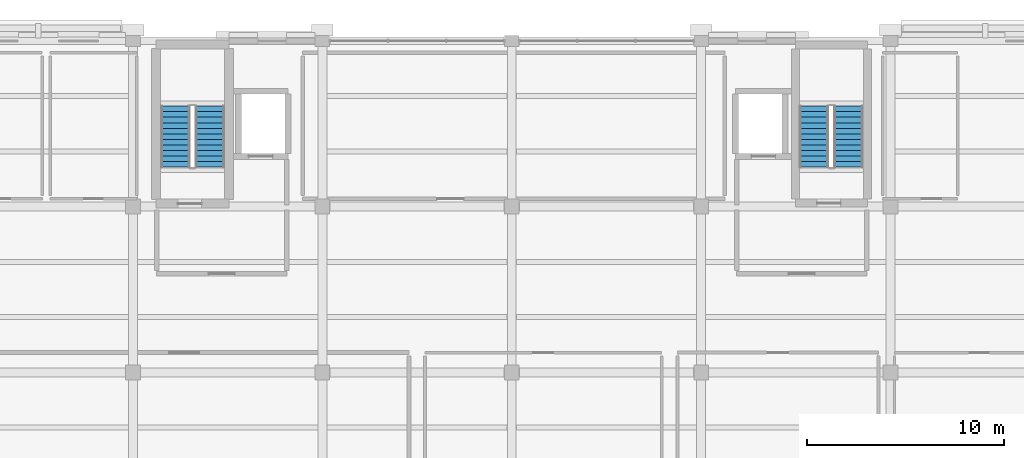
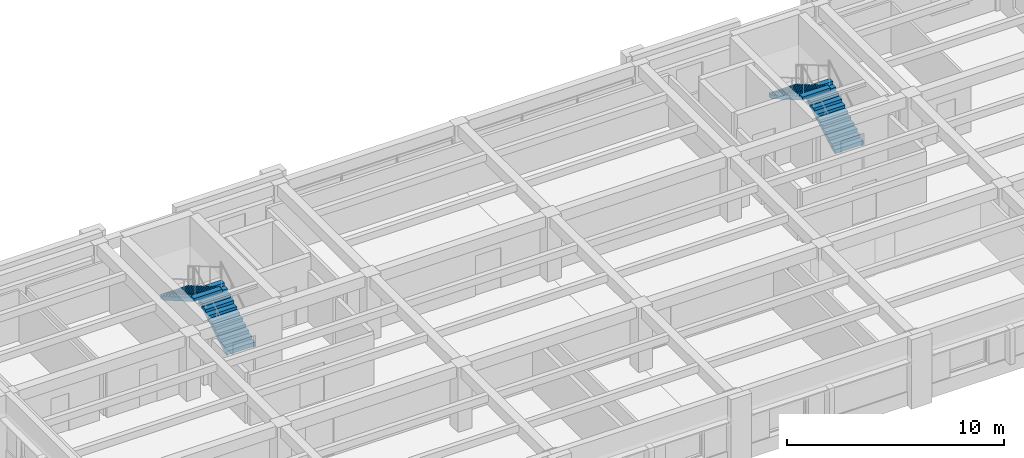
# One storey, part 8 of 11: 4 stair flights, 2 elements without a shape of their own.
"""IFC4 building model written with IfcOpenShell, lengths in metres."""

import ifcopenshell
import ifcopenshell.guid

model = None  # the IFC model being written
_history = None  # IfcOwnerHistory: only IFC2X3 demands one
_inside = {}  # id of a spatial element -> (the spatial element, [elements in it])
_under = {}  # id of a project, library or spatial element -> (it, [spatial elements below it])
_declared = {}  # id of a project -> (the project, [libraries it declares])
_typed = {}  # id of a type object -> (the type object, [elements of that type])
_made_of = {}  # id of a material, layer set ... -> (it, [elements and type objects made of it])


def new_model(schema):
    """Start an empty IFC model of exactly this schema.

    Asked for "IFC4X3", IfcOpenShell would pick the latest addendum, in which some entities
    have other attributes; the version numbers below select the first issue.
    IFC2X3 requires an IfcOwnerHistory on every rooted entity: one is made here for all.
    """
    global model, _history
    if schema == "IFC4X3":
        model = ifcopenshell.file(schema_version=(4, 3, 0, 0))
    else:
        model = ifcopenshell.file(schema=schema)
    _inside.clear()
    _under.clear()
    _declared.clear()
    _typed.clear()
    _made_of.clear()
    _history = None
    if model.schema == "IFC2X3":
        org = make("IfcOrganization", Name="unknown")
        user = make(
            "IfcPersonAndOrganization",
            ThePerson=make("IfcPerson", FamilyName="unknown"),
            TheOrganization=org,
        )
        app = make(
            "IfcApplication",
            ApplicationDeveloper=org,
            Version="unknown",
            ApplicationFullName="unknown",
            ApplicationIdentifier="unknown",
        )
        _history = make(
            "IfcOwnerHistory",
            OwningUser=user,
            OwningApplication=app,
            ChangeAction="ADDED",
            CreationDate=0,
        )
    return model


def make(cls, **values):
    """One entity of the class cls with the attributes given. An attribute that is None is left unset."""
    return model.create_entity(
        cls, **{name: value for name, value in values.items() if value is not None}
    )


def rooted(cls, **values):
    """An entity with a GlobalId (a new one), such as an element, a storey or a relation."""
    return make(cls, GlobalId=ifcopenshell.guid.new(), OwnerHistory=_history, **values)


def si_unit(unit_type, name, prefix=None):
    """IfcSIUnit, for example si_unit("LENGTHUNIT", "METRE", prefix="MILLI")."""
    return make("IfcSIUnit", UnitType=unit_type, Prefix=prefix, Name=name)


def assignment(units):
    """IfcUnitAssignment: the units of a project."""
    return None if units is None else make("IfcUnitAssignment", Units=units)


def point(xyz):
    """IfcCartesianPoint."""
    return None if xyz is None else make("IfcCartesianPoint", Coordinates=xyz)


def direction(xyz):
    """IfcDirection."""
    return None if xyz is None else make("IfcDirection", DirectionRatios=xyz)


def frame(location, z_axis=None, x_axis=None):
    """IfcAxis2Placement3D, a coordinate frame: its origin and axes. An axis left out is left unset."""
    return make(
        "IfcAxis2Placement3D",
        Location=point(location),
        Axis=direction(z_axis),
        RefDirection=direction(x_axis),
    )


def origin():
    """The frame at (0, 0, 0) with its axes left unset."""
    return frame((0.0, 0.0, 0.0))


def place(relative_to, where):
    """IfcLocalPlacement: puts the frame where relative to a parent placement (None: the world)."""
    return make(
        "IfcLocalPlacement", PlacementRelTo=relative_to, RelativePlacement=where
    )


def context(
    kind, dimensions, precision=None, world=None, true_north=None, identifier=None
):
    """IfcGeometricRepresentationContext, for example the 3D "Model" context."""
    return make(
        "IfcGeometricRepresentationContext",
        ContextIdentifier=identifier,
        ContextType=kind,
        CoordinateSpaceDimension=dimensions,
        Precision=precision,
        WorldCoordinateSystem=world,
        TrueNorth=true_north,
    )


def subcontext(parent, identifier, kind, view, scale=None):
    """IfcGeometricRepresentationSubContext, for example "Body" below "Model"."""
    return make(
        "IfcGeometricRepresentationSubContext",
        ContextIdentifier=identifier,
        ContextType=kind,
        ParentContext=parent,
        TargetScale=scale,
        TargetView=view,
    )


def project(units=None, contexts=None):
    """IfcProject with its units and contexts."""
    return rooted(
        "IfcProject",
        Name="project",
        RepresentationContexts=contexts,
        UnitsInContext=assignment(units),
    )


def spatial(cls, under=None, at=None, **own):
    """A site, building, storey or space (cls), placed at a placement, below another one or the project."""
    s = rooted(cls, ObjectPlacement=at, **own)
    if under is not None:
        _under.setdefault(under.id(), (under, []))[1].append(s)
    return s


def polyline(points):
    """IfcPolyline through the points."""
    return make("IfcPolyline", Points=[point(p) for p in points])


def outline(outer, holes=None, kind="AREA"):
    """IfcArbitraryClosedProfileDef: a profile drawn as a closed curve; with holes, ...WithVoids."""
    if holes is None:
        return make("IfcArbitraryClosedProfileDef", ProfileType=kind, OuterCurve=outer)
    return make(
        "IfcArbitraryProfileDefWithVoids",
        ProfileType=kind,
        OuterCurve=outer,
        InnerCurves=holes,
    )


def extrude(swept, where, along, depth):
    """IfcExtrudedAreaSolid: the profile swept, set in the frame where, extruded along a direction by depth."""
    return make(
        "IfcExtrudedAreaSolid",
        SweptArea=swept,
        Position=where,
        ExtrudedDirection=direction(along),
        Depth=depth,
    )


def shape(context_of_items, identifier, shape_type, items):
    """IfcShapeRepresentation: the items that make up one representation, for example the "Body"."""
    return make(
        "IfcShapeRepresentation",
        ContextOfItems=context_of_items,
        RepresentationIdentifier=identifier,
        RepresentationType=shape_type,
        Items=items,
    )


def material(Name=None, Category=None):
    """IfcMaterial."""
    return make("IfcMaterial", Name=Name, Category=Category)


def made_of(thing, what):
    """Note that an element or type object is made of a material, layer set ...; save() writes the relation."""
    if what is not None:
        _made_of.setdefault(what.id(), (what, []))[1].append(thing)
    return thing


def type_object(cls, material=None, **own):
    """A type object (cls), such as IfcWallType, which elements share."""
    return made_of(rooted(cls, **own), material)


def element(
    cls,
    number,
    at=None,
    inside=None,
    cuts=None,
    type_object=None,
    material=None,
    context=None,
    identifier="Body",
    shape_type=None,
    held_by="IfcProductDefinitionShape",
    body=None,
    shapes=None,
    **own,
):
    """One element of the class cls, such as IfcWall. Its Tag is "e" and its number.

    at: its placement. inside: the storey or other place that contains it. cuts: it is an
    opening in that element (IfcRelVoidsElement). A single representation is given by context,
    identifier, shape_type and body (its items); several are given by shapes. held_by: the class
    of the entity that holds the representations. save() writes the other relations.
    """
    e = rooted(cls, Tag="e%d" % number, ObjectPlacement=at, **own)
    if body is not None:
        shapes = [shape(context, identifier, shape_type, body)]
    if shapes is not None:
        e.Representation = make(held_by, Representations=shapes)
    if inside is not None:
        _inside.setdefault(inside.id(), (inside, []))[1].append(e)
    if cuts is not None:
        rooted(
            "IfcRelVoidsElement", RelatingBuildingElement=cuts, RelatedOpeningElement=e
        )
    if type_object is not None:
        _typed.setdefault(type_object.id(), (type_object, []))[1].append(e)
    return made_of(e, material)


def aggregate(whole, parts):
    """IfcRelAggregates: a whole, such as a stair, and the parts it consists of."""
    return rooted("IfcRelAggregates", RelatingObject=whole, RelatedObjects=parts)


def save(model, path):
    """Write the relations noted so far, then the file.

    IfcRelAggregates (storeys below a building ...), IfcRelContainedInSpatialStructure (elements
    in a storey), IfcRelDefinesByType, IfcRelAssociatesMaterial and IfcRelDeclares: one each for
    every whole, place, type object, material and project.
    """
    for whole, parts in _under.values():
        aggregate(whole, parts)
    for where, things in _inside.values():
        rooted(
            "IfcRelContainedInSpatialStructure",
            RelatedElements=things,
            RelatingStructure=where,
        )
    for kind, things in _typed.values():
        rooted("IfcRelDefinesByType", RelatedObjects=things, RelatingType=kind)
    for what, things in _made_of.values():
        rooted("IfcRelAssociatesMaterial", RelatedObjects=things, RelatingMaterial=what)
    for by, libraries in _declared.values():
        rooted("IfcRelDeclares", RelatingContext=by, RelatedDefinitions=libraries)
    model.write(path)


model = new_model("IFC4")

# Units and contexts
model_context = context("Model", 3, precision=1e-05, world=origin(), true_north=direction((0.0, 1.0)))
body_context = subcontext(model_context, "Body", "Model", "MODEL_VIEW")
ifc_project = project(units=[si_unit("LENGTHUNIT", "METRE"), si_unit("AREAUNIT", "SQUARE_METRE"), si_unit("VOLUMEUNIT", "CUBIC_METRE"), si_unit("PLANEANGLEUNIT", "RADIAN"), si_unit("MASSUNIT", "GRAM", prefix="KILO")], contexts=[model_context])

# Site, building, storey
site_placement = place(None, origin())
site = spatial("IfcSite", under=ifc_project, at=site_placement, CompositionType="ELEMENT")
building_placement = place(site_placement, origin())
building = spatial("IfcBuilding", under=site, at=building_placement, Name="Bempovik Park Faculty of Sciences", CompositionType="ELEMENT")
storey_placement = place(building_placement, frame((0.0, 0.0, 30.60009765625)))
storey = spatial("IfcBuildingStorey", under=building, at=storey_placement, Name="L07", CompositionType="ELEMENT", Elevation=30.60009765625)

# Stair, stair flights
ifc_material = material(Name="Concrete C35/45", Category="concrete")
stair_type = type_object("IfcStairType", Name="ST-17 Stair W1500 H3900", PredefinedType="HALF_TURN_STAIR", material=ifc_material)
stair_1_placement = place(storey_placement, origin())
stair_1 = element("IfcStair", 1, at=stair_1_placement, inside=storey, type_object=stair_type, Name="L07 ST-1 Dog-Leg Exit Stair", PredefinedType="HALF_TURN_STAIR")
stair_flight_type = type_object("IfcStairFlightType", Name="FL-16 Flight W1500 H3900", PredefinedType="STRAIGHT", material=ifc_material)
stair_flight_1_placement = place(storey_placement, frame((73.5, 113.0, 0.0), z_axis=(0.0, 0.0, 1.0), x_axis=(0.0, 1.0, 0.0)))
stair_flight_1 = element("IfcStairFlight", 2, at=stair_flight_1_placement, type_object=stair_flight_type, Name="ST-17 flight 1", NumberOfRisers=12, NumberOfTreads=11, PredefinedType="STRAIGHT", RiserHeight=0.1625, TreadLength=0.28125, context=body_context, shape_type="SweptSolid", body=[
    extrude(outline(polyline([(0.0, 0.0), (0.0, 0.16259765625), (0.28125, 0.16259765625), (0.28125, 0.324951171875), (0.5625, 0.324951171875), (0.5625, 0.487548828125), (0.84375, 0.487548828125), (0.84375, 0.64990234375), (1.125, 0.64990234375), (1.125, 0.8125), (1.40625, 0.8125), (1.40625, 0.97509765625), (1.6875, 0.97509765625), (1.6875, 1.137451171875), (1.96875, 1.137451171875), (1.96875, 1.300048828125), (2.25, 1.300048828125), (2.25, 1.46240234375), (2.53125, 1.46240234375), (2.53125, 1.625), (2.8125, 1.625), (2.8125, 1.78759765625), (3.09375, 1.78759765625), (3.09375, 1.949951171875), (3.09375, 1.6142578125), (0.299560546875, 0.0), (0.0625, -0.0625), (0.0, -0.0625), (0.0, 0.0)])), frame((0.0, 0.75, 0.0), z_axis=(0.0, -1.0, 0.0), x_axis=(1.0, 0.0, 0.0)), (0.0, 0.0, 1.0), 1.5),
])
stair_flight_2_placement = place(storey_placement, frame((71.75, 116.09375, 1.949951171875), z_axis=(0.0, 0.0, 1.0), x_axis=(0.0, -1.0, 0.0)))
stair_flight_2 = element("IfcStairFlight", 3, at=stair_flight_2_placement, type_object=stair_flight_type, Name="ST-17 flight 2", NumberOfRisers=12, NumberOfTreads=11, PredefinedType="STRAIGHT", RiserHeight=0.1625, TreadLength=0.28125, context=body_context, shape_type="SweptSolid", body=[
    extrude(outline(polyline([(0.0, 0.0), (0.0, 0.16259765625), (0.28125, 0.16259765625), (0.28125, 0.324951171875), (0.5625, 0.324951171875), (0.5625, 0.487548828125), (0.84375, 0.487548828125), (0.84375, 0.64990234375), (1.125, 0.64990234375), (1.125, 0.8125), (1.40625, 0.8125), (1.40625, 0.97509765625), (1.6875, 0.97509765625), (1.6875, 1.137451171875), (1.96875, 1.137451171875), (1.96875, 1.300048828125), (2.25, 1.300048828125), (2.25, 1.46240234375), (2.53125, 1.46240234375), (2.53125, 1.625), (2.8125, 1.625), (2.8125, 1.78759765625), (3.09375, 1.78759765625), (3.09375, 1.949951171875), (3.09375, 1.6142578125), (0.299560546875, 0.0), (0.0625, -0.0625), (0.0, -0.0625), (0.0, 0.0)])), frame((0.0, 0.75, 0.0), z_axis=(0.0, -1.0, 0.0), x_axis=(1.0, 0.0, 0.0)), (0.0, 0.0, 1.0), 1.5),
])
aggregate(stair_1, [stair_flight_1, stair_flight_2])

stair_2_placement = place(storey_placement, origin())
stair_2 = element("IfcStair", 4, at=stair_2_placement, inside=storey, type_object=stair_type, Name="L07 ST-2 Dog-Leg Exit Stair", PredefinedType="HALF_TURN_STAIR")
stair_flight_3_placement = place(storey_placement, frame((105.875, 113.0, 0.0), z_axis=(0.0, 0.0, 1.0), x_axis=(0.0, 1.0, 0.0)))
stair_flight_3 = element("IfcStairFlight", 5, at=stair_flight_3_placement, type_object=stair_flight_type, Name="ST-17 flight 1", NumberOfRisers=12, NumberOfTreads=11, PredefinedType="STRAIGHT", RiserHeight=0.1625, TreadLength=0.28125, context=body_context, shape_type="SweptSolid", body=[
    extrude(outline(polyline([(0.0, 0.0), (0.0, 0.16259765625), (0.28125, 0.16259765625), (0.28125, 0.324951171875), (0.5625, 0.324951171875), (0.5625, 0.487548828125), (0.84375, 0.487548828125), (0.84375, 0.64990234375), (1.125, 0.64990234375), (1.125, 0.8125), (1.40625, 0.8125), (1.40625, 0.97509765625), (1.6875, 0.97509765625), (1.6875, 1.137451171875), (1.96875, 1.137451171875), (1.96875, 1.300048828125), (2.25, 1.300048828125), (2.25, 1.46240234375), (2.53125, 1.46240234375), (2.53125, 1.625), (2.8125, 1.625), (2.8125, 1.78759765625), (3.09375, 1.78759765625), (3.09375, 1.949951171875), (3.09375, 1.6142578125), (0.299560546875, 0.0), (0.0625, -0.0625), (0.0, -0.0625), (0.0, 0.0)])), frame((0.0, 0.75, 0.0), z_axis=(0.0, -1.0, 0.0), x_axis=(1.0, 0.0, 0.0)), (0.0, 0.0, 1.0), 1.5),
])
stair_flight_4_placement = place(storey_placement, frame((104.125, 116.09375, 1.949951171875), z_axis=(0.0, 0.0, 1.0), x_axis=(0.0, -1.0, 0.0)))
stair_flight_4 = element("IfcStairFlight", 6, at=stair_flight_4_placement, type_object=stair_flight_type, Name="ST-17 flight 2", NumberOfRisers=12, NumberOfTreads=11, PredefinedType="STRAIGHT", RiserHeight=0.1625, TreadLength=0.28125, context=body_context, shape_type="SweptSolid", body=[
    extrude(outline(polyline([(0.0, 0.0), (0.0, 0.16259765625), (0.28125, 0.16259765625), (0.28125, 0.324951171875), (0.5625, 0.324951171875), (0.5625, 0.487548828125), (0.84375, 0.487548828125), (0.84375, 0.64990234375), (1.125, 0.64990234375), (1.125, 0.8125), (1.40625, 0.8125), (1.40625, 0.97509765625), (1.6875, 0.97509765625), (1.6875, 1.137451171875), (1.96875, 1.137451171875), (1.96875, 1.300048828125), (2.25, 1.300048828125), (2.25, 1.46240234375), (2.53125, 1.46240234375), (2.53125, 1.625), (2.8125, 1.625), (2.8125, 1.78759765625), (3.09375, 1.78759765625), (3.09375, 1.949951171875), (3.09375, 1.6142578125), (0.299560546875, 0.0), (0.0625, -0.0625), (0.0, -0.0625), (0.0, 0.0)])), frame((0.0, 0.75, 0.0), z_axis=(0.0, -1.0, 0.0), x_axis=(1.0, 0.0, 0.0)), (0.0, 0.0, 1.0), 1.5),
])
aggregate(stair_2, [stair_flight_3, stair_flight_4])

save(model, "model.ifc")
